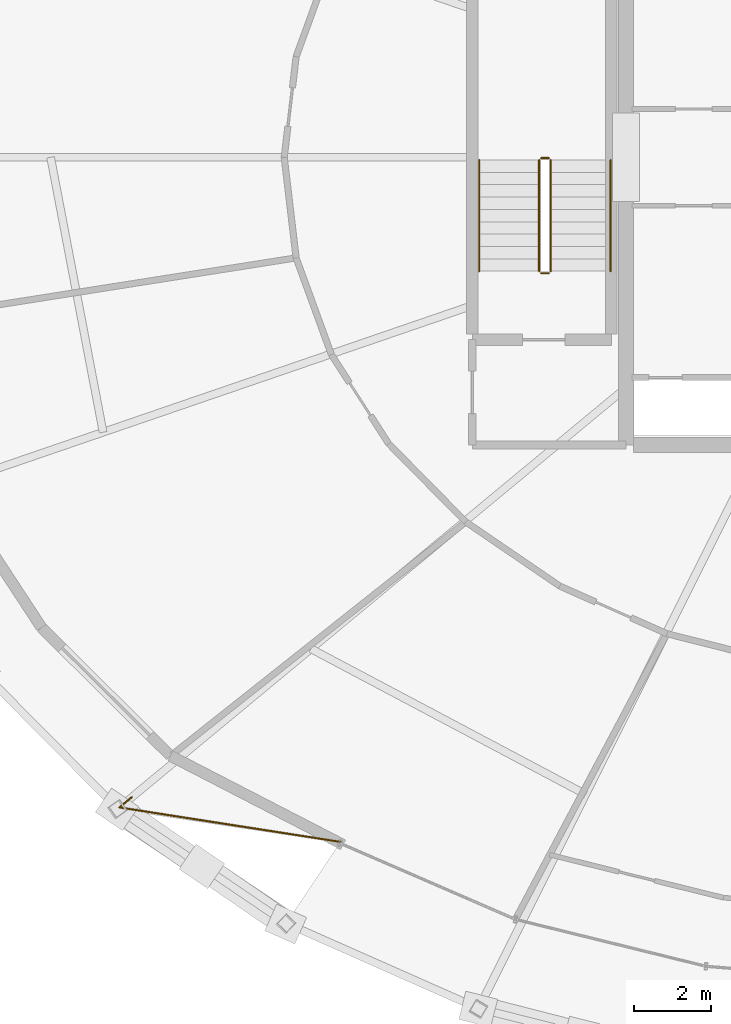
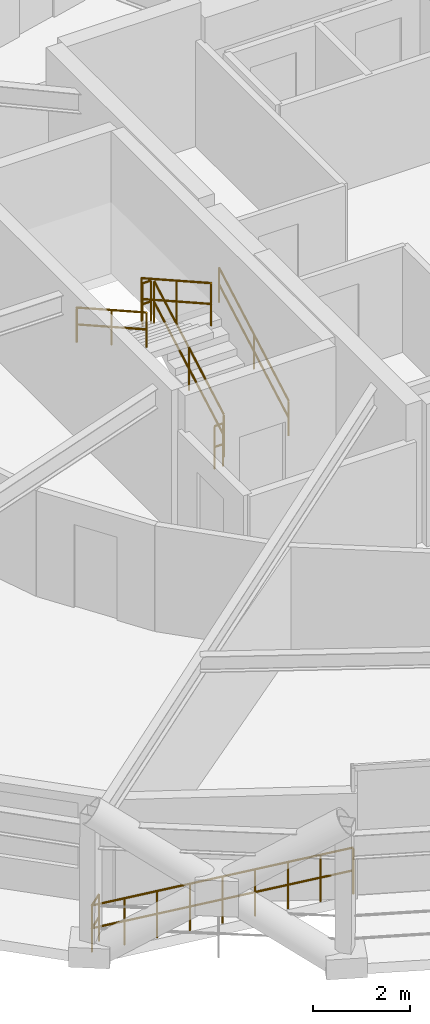
# One storey, part 21 of 23: 7 railings.
"""IFC4 building model written with IfcOpenShell, lengths in metres."""

from ifc_helpers import new_model, si_unit, direction, frame, origin, origin_2d, place, context, subcontext, project, spatial, circle, extrude, material, type_object, element, save


model = new_model("IFC4")

# Units and contexts
model_context = context("Model", 3, precision=1e-05, world=origin(), true_north=direction((0.0, 1.0)))
body_context = subcontext(model_context, "Body", "Model", "MODEL_VIEW")
ifc_project = project(units=[si_unit("LENGTHUNIT", "METRE"), si_unit("AREAUNIT", "SQUARE_METRE"), si_unit("VOLUMEUNIT", "CUBIC_METRE"), si_unit("PLANEANGLEUNIT", "RADIAN"), si_unit("MASSUNIT", "GRAM", prefix="KILO")], contexts=[model_context])

# Site, building, storey
site_placement = place(None, origin())
site = spatial("IfcSite", under=ifc_project, at=site_placement, CompositionType="ELEMENT")
building_placement = place(site_placement, origin())
building = spatial("IfcBuilding", under=site, at=building_placement, Name="Veldorina Hangang Commons", CompositionType="ELEMENT")
storey_placement = place(building_placement, frame((0.0, 0.0, 102.39990234375)))
storey = spatial("IfcBuildingStorey", under=building, at=storey_placement, Name="L26", CompositionType="ELEMENT", Elevation=102.39990234375)

# Railings
ifc_material_1 = material(Name="Glass Laminated Safety Balustrade", Category="glass")
railing_type_1 = type_object("IfcRailingType", Name="RL-BAL-LOGGIA", PredefinedType="BALUSTRADE", material=ifc_material_1)
railing_1_placement = place(storey_placement, frame((12.006591796875, 7.437744140625, 0.0)))
element("IfcRailing", 1, at=railing_1_placement, inside=storey, type_object=railing_type_1, Name="L26 sky-garden loggia end balustrade A", PredefinedType="BALUSTRADE", context=body_context, shape_type="SweptSolid", body=[
    extrude(circle(Radius=0.02392578125, at=origin_2d()), frame((0.0, 0.0, 1.17578125), z_axis=(-0.769980774218, -0.638067086861, 0.0), x_axis=(0.638067086861, -0.769980774218, 0.0)), (0.0, 0.0, 1.0), 0.420166015625),
    extrude(circle(Radius=0.02392578125, at=origin_2d()), frame((0.0, 0.0, 0.60009765625), z_axis=(-0.769980774218, -0.638067086861, 0.0), x_axis=(0.638067086861, -0.769980774218, 0.0)), (0.0, 0.0, 1.0), 0.420166015625),
    extrude(circle(Radius=0.02392578125, at=origin_2d()), frame((-0.323486328125, -0.26806640625, 1.17578125), z_axis=(0.988055730733, -0.154096959624, 0.0), x_axis=(0.154096959624, 0.988055730733, 0.0)), (0.0, 0.0, 1.0), 5.80029296875),
    extrude(circle(Radius=0.02392578125, at=origin_2d()), frame((-0.323486328125, -0.26806640625, 0.60009765625), z_axis=(0.988055730733, -0.154096959624, 0.0), x_axis=(0.154096959624, 0.988055730733, 0.0)), (0.0, 0.0, 1.0), 5.80029296875),
    extrude(circle(Radius=0.02099609375, at=origin_2d()), origin(), (0.0, 0.0, 1.0), 1.15185546875),
    extrude(circle(Radius=0.02099609375, at=origin_2d()), frame((-0.323486328125, -0.26806640625, 0.0)), (0.0, 0.0, 1.0), 1.15185546875),
    extrude(circle(Radius=0.02099609375, at=origin_2d()), frame((0.392822265625, -0.3798828125, 0.0)), (0.0, 0.0, 1.0), 1.15185546875),
    extrude(circle(Radius=0.02099609375, at=origin_2d()), frame((1.109375, -0.491455078125, 0.0)), (0.0, 0.0, 1.0), 1.15185546875),
    extrude(circle(Radius=0.02099609375, at=origin_2d()), frame((1.82568359375, -0.603271484375, 0.0)), (0.0, 0.0, 1.0), 1.15185546875),
    extrude(circle(Radius=0.02099609375, at=origin_2d()), frame((2.5419921875, -0.71484375, 0.0)), (0.0, 0.0, 1.0), 1.15185546875),
    extrude(circle(Radius=0.02099609375, at=origin_2d()), frame((3.25830078125, -0.82666015625, 0.0)), (0.0, 0.0, 1.0), 1.15185546875),
    extrude(circle(Radius=0.02099609375, at=origin_2d()), frame((3.974609375, -0.9384765625, 0.0)), (0.0, 0.0, 1.0), 1.15185546875),
    extrude(circle(Radius=0.02099609375, at=origin_2d()), frame((4.691162109375, -1.050048828125, 0.0)), (0.0, 0.0, 1.0), 1.15185546875),
    extrude(circle(Radius=0.02099609375, at=origin_2d()), frame((5.407470703125, -1.161865234375, 0.0)), (0.0, 0.0, 1.0), 1.15185546875),
])
ifc_material_2 = material(Name="Steel Painted Balustrade", Category="steel")
railing_type_2 = type_object("IfcRailingType", Name="RL-GRD-STAIR", PredefinedType="GUARDRAIL", material=ifc_material_2)
railing_2_placement = place(storey_placement, frame((22.85009765625, 21.050048828125, 0.18017578125)))
element("IfcRailing", 2, at=railing_2_placement, inside=storey, type_object=railing_type_2, Name="L26 ST-1 stair guard 1", PredefinedType="GUARDRAIL", context=body_context, shape_type="SweptSolid", body=[
    extrude(circle(Radius=0.02392578125, at=origin_2d()), frame((0.0, 0.0, 1.076171875), z_axis=(0.0, 0.871583430097, 0.490247207417), x_axis=(-1.0, 0.0, 0.0)), (0.0, 0.0, 1.0), 3.30419921875),
    extrude(circle(Radius=0.02392578125, at=origin_2d()), frame((0.0, 0.0, 0.550048828125), z_axis=(0.0, 0.871583430097, 0.490247207417), x_axis=(-1.0, 0.0, 0.0)), (0.0, 0.0, 1.0), 3.30419921875),
    extrude(circle(Radius=0.02099609375, at=origin_2d()), origin(), (0.0, 0.0, 1.0), 1.052001953125),
    extrude(circle(Radius=0.02099609375, at=origin_2d()), frame((0.0, 1.43994140625, 0.81005859375)), (0.0, 0.0, 1.0), 1.052001953125),
    extrude(circle(Radius=0.02099609375, at=origin_2d()), frame((0.0, 2.8798828125, 1.619873046875)), (0.0, 0.0, 1.0), 1.052001953125),
])
railing_3_placement = place(storey_placement, frame((22.800048828125, 23.97998046875, 1.800048828125)))
element("IfcRailing", 3, at=railing_3_placement, inside=storey, type_object=railing_type_2, Name="L26 ST-1 stair guard 2", PredefinedType="GUARDRAIL", context=body_context, shape_type="SweptSolid", body=[
    extrude(circle(Radius=0.02392578125, at=origin_2d()), frame((0.0, 0.0, 1.076171875), z_axis=(-1.0, 0.0, 0.0), x_axis=(0.0, -1.0, 0.0)), (0.0, 0.0, 1.0), 0.199951171875),
    extrude(circle(Radius=0.02392578125, at=origin_2d()), frame((0.0, 0.0, 0.550048828125), z_axis=(-1.0, 0.0, 0.0), x_axis=(0.0, -1.0, 0.0)), (0.0, 0.0, 1.0), 0.199951171875),
    extrude(circle(Radius=0.02099609375, at=origin_2d()), origin(), (0.0, 0.0, 1.0), 1.052001953125),
    extrude(circle(Radius=0.02099609375, at=origin_2d()), frame((-0.199951171875, 0.0, 0.0)), (0.0, 0.0, 1.0), 1.052001953125),
])
railing_4_placement = place(storey_placement, frame((22.550048828125, 23.929931640625, 1.97998046875)))
element("IfcRailing", 4, at=railing_4_placement, inside=storey, type_object=railing_type_2, Name="L26 ST-1 stair guard 3", PredefinedType="GUARDRAIL", context=body_context, shape_type="SweptSolid", body=[
    extrude(circle(Radius=0.02392578125, at=origin_2d()), frame((0.0, 0.0, 1.076171875), z_axis=(0.0, -0.87155185771, 0.490303333991), x_axis=(1.0, 0.0, 0.0)), (0.0, 0.0, 1.0), 3.30419921875),
    extrude(circle(Radius=0.02392578125, at=origin_2d()), frame((0.0, 0.0, 0.550048828125), z_axis=(0.0, -0.87155185771, 0.490303333991), x_axis=(1.0, 0.0, 0.0)), (0.0, 0.0, 1.0), 3.30419921875),
    extrude(circle(Radius=0.02099609375, at=origin_2d()), origin(), (0.0, 0.0, 1.0), 1.052001953125),
    extrude(circle(Radius=0.02099609375, at=origin_2d()), frame((0.0, -1.43994140625, 0.81005859375)), (0.0, 0.0, 1.0), 1.052001953125),
    extrude(circle(Radius=0.02099609375, at=origin_2d()), frame((0.0, -2.8798828125, 1.6201171875)), (0.0, 0.0, 1.0), 1.052001953125),
])
railing_5_placement = place(storey_placement, frame((22.800048828125, 21.0, 0.0)))
element("IfcRailing", 5, at=railing_5_placement, inside=storey, type_object=railing_type_2, Name="L26 ST-1 stair guard 4", PredefinedType="GUARDRAIL", context=body_context, shape_type="SweptSolid", body=[
    extrude(circle(Radius=0.02392578125, at=origin_2d()), frame((0.0, 0.0, 1.076171875), z_axis=(-1.0, 0.0, 0.0), x_axis=(0.0, -1.0, 0.0)), (0.0, 0.0, 1.0), 0.199951171875),
    extrude(circle(Radius=0.02392578125, at=origin_2d()), frame((0.0, 0.0, 0.550048828125), z_axis=(-1.0, 0.0, 0.0), x_axis=(0.0, -1.0, 0.0)), (0.0, 0.0, 1.0), 0.199951171875),
    extrude(circle(Radius=0.02099609375, at=origin_2d()), origin(), (0.0, 0.0, 1.0), 1.052001953125),
    extrude(circle(Radius=0.02099609375, at=origin_2d()), frame((-0.199951171875, 0.0, 0.0)), (0.0, 0.0, 1.0), 1.052001953125),
])
ifc_material_3 = material(Name="Stainless Steel Brushed 316", Category="steel")
railing_type_3 = type_object("IfcRailingType", Name="RL-HND-STAIR", PredefinedType="HANDRAIL", material=ifc_material_3)
railing_6_placement = place(storey_placement, frame((24.39990234375, 21.050048828125, 0.18017578125)))
element("IfcRailing", 6, at=railing_6_placement, inside=storey, type_object=railing_type_3, Name="L26 ST-1 stair handrail 1", PredefinedType="HANDRAIL", context=body_context, shape_type="SweptSolid", body=[
    extrude(circle(Radius=0.02392578125, at=origin_2d()), frame((0.0, 0.0, 0.8759765625), z_axis=(0.0, 0.871583430097, 0.490247207417), x_axis=(-1.0, 0.0, 0.0)), (0.0, 0.0, 1.0), 3.30419921875),
    extrude(circle(Radius=0.02392578125, at=origin_2d()), frame((0.0, 0.0, 0.449951171875), z_axis=(0.0, 0.871583430097, 0.490247207417), x_axis=(-1.0, 0.0, 0.0)), (0.0, 0.0, 1.0), 3.30419921875),
    extrude(circle(Radius=0.02099609375, at=origin_2d()), origin(), (0.0, 0.0, 1.0), 0.851806640625),
    extrude(circle(Radius=0.02099609375, at=origin_2d()), frame((0.0, 1.43994140625, 0.81005859375)), (0.0, 0.0, 1.0), 0.851806640625),
    extrude(circle(Radius=0.02099609375, at=origin_2d()), frame((0.0, 2.8798828125, 1.619873046875)), (0.0, 0.0, 1.0), 0.851806640625),
])
railing_7_placement = place(storey_placement, frame((21.0, 23.929931640625, 1.97998046875)))
element("IfcRailing", 7, at=railing_7_placement, inside=storey, type_object=railing_type_3, Name="L26 ST-1 stair handrail 2", PredefinedType="HANDRAIL", context=body_context, shape_type="SweptSolid", body=[
    extrude(circle(Radius=0.02392578125, at=origin_2d()), frame((0.0, 0.0, 0.8759765625), z_axis=(0.0, -0.87155185771, 0.490303333991), x_axis=(1.0, 0.0, 0.0)), (0.0, 0.0, 1.0), 3.30419921875),
    extrude(circle(Radius=0.02392578125, at=origin_2d()), frame((0.0, 0.0, 0.449951171875), z_axis=(0.0, -0.87155185771, 0.490303333991), x_axis=(1.0, 0.0, 0.0)), (0.0, 0.0, 1.0), 3.30419921875),
    extrude(circle(Radius=0.02099609375, at=origin_2d()), origin(), (0.0, 0.0, 1.0), 0.851806640625),
    extrude(circle(Radius=0.02099609375, at=origin_2d()), frame((0.0, -1.43994140625, 0.81005859375)), (0.0, 0.0, 1.0), 0.851806640625),
    extrude(circle(Radius=0.02099609375, at=origin_2d()), frame((0.0, -2.8798828125, 1.6201171875)), (0.0, 0.0, 1.0), 0.851806640625),
])

save(model, "model.ifc")
